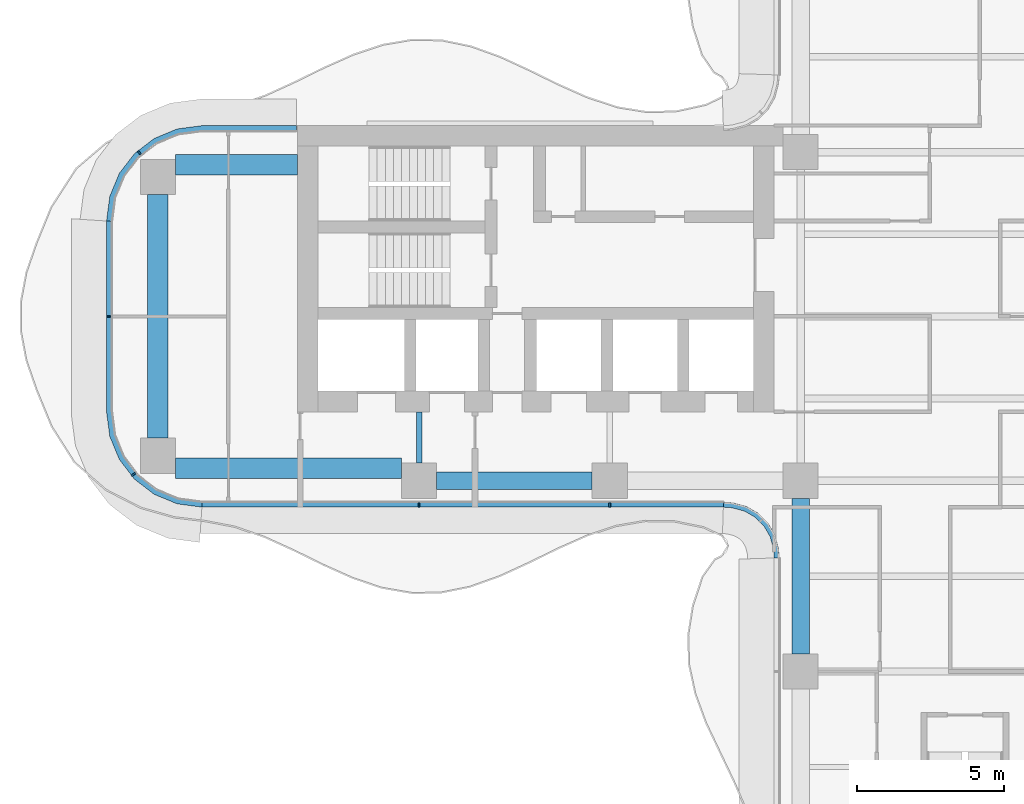
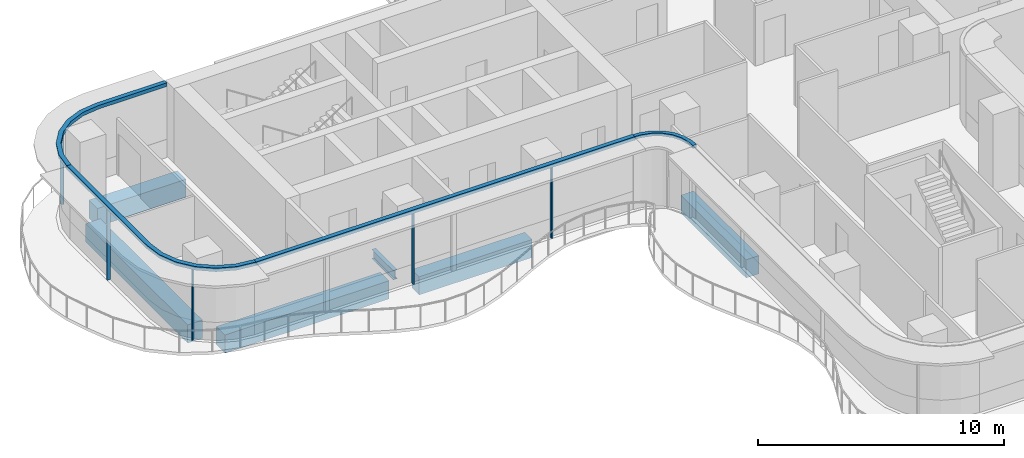
# One storey, part 3 of 18: 9 members, 6 beams, 4 elements without a shape of their own.
"""IFC4 building model written with IfcOpenShell, lengths in metres."""

from ifc_helpers import new_model, si_unit, direction, frame, origin, origin_2d, place, context, subcontext, project, spatial, polyline, rectangle, i_section, outline, extrude, source, transform, mapped, material, layer, layer_set, material_profile, profile_set, type_object, element, aggregate, save


model = new_model("IFC4")

# Units and contexts
model_context = context("Model", 3, precision=1e-05, world=origin(), true_north=direction((0.0, 1.0)))
body_context = subcontext(model_context, "Body", "Model", "MODEL_VIEW")
ifc_project = project(units=[si_unit("LENGTHUNIT", "METRE"), si_unit("AREAUNIT", "SQUARE_METRE"), si_unit("VOLUMEUNIT", "CUBIC_METRE"), si_unit("PLANEANGLEUNIT", "RADIAN"), si_unit("MASSUNIT", "GRAM", prefix="KILO")], contexts=[model_context])

# Site, building, storey
site_placement = place(None, origin())
site = spatial("IfcSite", under=ifc_project, at=site_placement, CompositionType="ELEMENT")
building_placement = place(site_placement, origin())
building = spatial("IfcBuilding", under=site, at=building_placement, Name="Trellis Farm Tower", CompositionType="ELEMENT")
storey_placement = place(building_placement, frame((0.0, 0.0, 169.800048828125)))
storey = spatial("IfcBuildingStorey", under=building, at=storey_placement, Name="L36", CompositionType="ELEMENT", Elevation=169.800048828125)

# Beams
ifc_material_1 = material(Name="Concrete C60/75", Category="concrete")
ifc_material_profile_1 = material_profile(ifc_material_1, rectangle(XDim=0.60009765625, YDim=0.89990234375, at=origin_2d()), Name="RC spandrel beam 600x900 C60/75")
ifc_profile_set_1 = profile_set([ifc_material_profile_1], Name="Concrete C60/75")
beam_type_1 = type_object("IfcBeamType", Name="RC spandrel beam 600x900 C60/75", PredefinedType="SPANDREL", material=ifc_profile_set_1)
shared_shape_1 = source(origin(), body_context, "Body", "SweptSolid", [
    extrude(rectangle(XDim=0.60009765625, YDim=0.89990234375, at=origin_2d()), origin(), (0.0, 0.0, 1.0), 5.300048828125),
])
for number, where, z_axis, x_axis, name in (
    (1, (-18.0, -5.60009765625, -0.650146484375), (1.0, 0.0, 0.0), (0.0, 1.0, 0.0), "Girder"),
    (2, (-5.60009765625, -11.5, -0.650146484375), (0.0, 1.0, 0.0), (-1.0, 0.0, 0.0), "Girder"),
):
    element("IfcBeam", number, at=place(storey_placement, frame(where, z_axis=z_axis, x_axis=x_axis)), inside=storey, type_object=beam_type_1, Name=name, PredefinedType="SPANDREL", context=body_context, shape_type="MappedRepresentation", body=[
        mapped(shared_shape_1, transform((0.0, 0.0, 0.0))),
    ])
ifc_material_profile_2 = material_profile(ifc_material_1, rectangle(XDim=0.699951171875, YDim=0.89990234375, at=origin_2d()), Name="RC spandrel beam 700x900 C60/75")
ifc_profile_set_2 = profile_set([ifc_material_profile_2], Name="Concrete C60/75")
beam_type_2 = type_object("IfcBeamType", Name="RC spandrel beam 700x900 C60/75", PredefinedType="SPANDREL", material=ifc_profile_set_2)
shared_shape_2 = source(origin(), body_context, "Body", "SweptSolid", [
    extrude(rectangle(XDim=0.699951171875, YDim=0.89990234375, at=origin_2d()), origin(), (0.0, 0.0, 1.0), 8.2998046875),
])
beam_1_placement = place(storey_placement, frame((-27.5, -4.14990234375, -0.650146484375), z_axis=(0.0, 1.0, 0.0), x_axis=(-1.0, 0.0, 0.0)))
element("IfcBeam", 3, at=beam_1_placement, inside=storey, type_object=beam_type_2, Name="Girder", PredefinedType="SPANDREL", context=body_context, shape_type="MappedRepresentation", body=[
    mapped(shared_shape_2, transform((0.0, 0.0, 0.0))),
])
ifc_material_2 = material(Name="Steel S355", Category="steel")
ifc_material_profile_3 = material_profile(ifc_material_2, i_section(OverallWidth=0.1904296875, OverallDepth=0.45703125, WebThickness=0.009033203125, FlangeThickness=0.014404296875, FilletRadius=0.01025390625, at=origin_2d()), Name="UB 457x191x74")
ifc_profile_set_3 = profile_set([ifc_material_profile_3], Name="Steel S355")
beam_type_3 = type_object("IfcBeamType", Name="UB 457x191x74", PredefinedType="BEAM", material=ifc_profile_set_3)
shared_shape_3 = source(origin(), body_context, "Body", "SweptSolid", [
    extrude(i_section(OverallWidth=0.1904296875, OverallDepth=0.45703125, WebThickness=0.009033203125, FlangeThickness=0.014404296875, FilletRadius=0.01025390625, at=origin_2d()), origin(), (0.0, 0.0, 1.0), 1.75),
])
beam_2_placement = place(storey_placement, frame((-18.60009765625, -5.0, -0.428466796875), z_axis=(0.0, 1.0, 0.0), x_axis=(-1.0, 0.0, 0.0)))
element("IfcBeam", 4, at=beam_2_placement, inside=storey, type_object=beam_type_3, Name="Girder", PredefinedType="BEAM", context=body_context, shape_type="MappedRepresentation", body=[
    mapped(shared_shape_3, transform((0.0, 0.0, 0.0))),
])
shared_shape_4 = source(origin(), body_context, "Body", "SweptSolid", [
    extrude(rectangle(XDim=0.699951171875, YDim=0.89990234375, at=origin_2d()), origin(), (0.0, 0.0, 1.0), 7.699951171875),
])
beam_3_placement = place(storey_placement, frame((-26.89990234375, -5.175048828125, -0.650146484375), z_axis=(1.0, 0.0, 0.0), x_axis=(0.0, 1.0, 0.0)))
element("IfcBeam", 5, at=beam_3_placement, inside=storey, type_object=beam_type_2, Name="Girder", PredefinedType="SPANDREL", context=body_context, shape_type="MappedRepresentation", body=[
    mapped(shared_shape_4, transform((0.0, 0.0, 0.0))),
])
shared_shape_5 = source(origin(), body_context, "Body", "SweptSolid", [
    extrude(rectangle(XDim=0.699951171875, YDim=0.89990234375, at=origin_2d()), origin(), (0.0, 0.0, 1.0), 4.14990234375),
])
beam_4_placement = place(storey_placement, frame((-26.89990234375, 5.175048828125, -0.650146484375), z_axis=(1.0, 0.0, 0.0), x_axis=(0.0, 1.0, 0.0)))
element("IfcBeam", 6, at=beam_4_placement, inside=storey, type_object=beam_type_2, Name="Girder", PredefinedType="SPANDREL", context=body_context, shape_type="MappedRepresentation", body=[
    mapped(shared_shape_5, transform((0.0, 0.0, 0.0))),
])

# Curtain wall, member
ifc_material_3 = material(Name="Aluminium and glass curtain wall", Category="aluminium")
ifc_layer_1 = layer(ifc_material_3, 0.166015625)
ifc_layer_set_1 = layer_set([ifc_layer_1], Name="WINTER GARDEN CURTAIN WALL CW3")
curtain_wall_type_1 = type_object("IfcCurtainWallType", Name="WINTER GARDEN CURTAIN WALL CW3", PredefinedType="NOTDEFINED", material=ifc_layer_set_1)
placement_1 = place(storey_placement, origin())
curtain_wall_1 = element("IfcCurtainWall", 7, at=placement_1, inside=storey, type_object=curtain_wall_type_1, Name="CW3 001", PredefinedType="NOTDEFINED")
ifc_material_4 = material(Name="Aluminium extrusion 6063-T6", Category="aluminium")
ifc_layer_2 = layer(ifc_material_4, 0.169921875)
ifc_layer_set_2 = layer_set([ifc_layer_2], Name="Aluminium extrusion 6063-T6")
member_type_1 = type_object("IfcMemberType", Name="CW3 TRANSOM 170x150", PredefinedType="USERDEFINED", material=ifc_layer_set_2)
shared_shape_6 = source(origin(), body_context, "Body", "SweptSolid", [
    extrude(outline(polyline([(-8.2314453125, -6.5), (-8.01953125, -6.513916015625), (-7.91552734375, -6.527587890625), (-7.508544921875, -6.63671875), (-7.144287109375, -6.846923828125), (-6.846923828125, -7.144287109375), (-6.63671875, -7.508544921875), (-6.527587890625, -7.91552734375), (-6.513916015625, -8.01953125), (-6.5, -8.2314453125), (-6.330078125, -8.225830078125), (-6.3447265625, -8.0029296875), (-6.360595703125, -7.88232421875), (-6.478271484375, -7.44287109375), (-6.7109375, -7.0400390625), (-7.0400390625, -6.7109375), (-7.44287109375, -6.478271484375), (-7.88232421875, -6.360595703125), (-8.0029296875, -6.3447265625), (-8.225830078125, -6.330078125), (-8.2314453125, -6.5)])), origin(), (0.0, 0.0, 1.0), 0.14990234375),
])
member_1_placement = place(storey_placement, frame((0.0, 0.0, 3.550048828125)))
member_1 = element("IfcMember", 8, at=member_1_placement, type_object=member_type_1, Name="TR3 001", ObjectType="TRANSOM", PredefinedType="USERDEFINED", context=body_context, shape_type="MappedRepresentation", body=[
    mapped(shared_shape_6, transform((0.0, 0.0, 0.0))),
])
aggregate(curtain_wall_1, [member_1])

# Curtain wall, members
ifc_layer_3 = layer(ifc_material_3, 0.18994140625)
ifc_layer_set_3 = layer_set([ifc_layer_3], Name="RIBBON CURTAIN WALL CW1")
curtain_wall_type_2 = type_object("IfcCurtainWallType", Name="RIBBON CURTAIN WALL CW1", PredefinedType="NOTDEFINED", material=ifc_layer_set_3)
curtain_wall_2 = element("IfcCurtainWall", 9, at=placement_1, inside=storey, type_object=curtain_wall_type_2, Name="CW1 001", PredefinedType="NOTDEFINED")
ifc_material_profile_4 = material_profile(ifc_material_4, rectangle(XDim=0.06005859375, YDim=0.14990234375, at=origin_2d()), Name="MULLION 60x150")
ifc_profile_set_4 = profile_set([ifc_material_profile_4], Name="Aluminium extrusion 6063-T6")
member_type_2 = type_object("IfcMemberType", Name="CW1 MULLION 60x150", PredefinedType="MULLION", material=ifc_profile_set_4)
shared_shape_7 = source(origin(), body_context, "Body", "SweptSolid", [
    extrude(rectangle(XDim=0.06005859375, YDim=0.14990234375, at=origin_2d()), origin(), (0.0, 0.0, 1.0), 3.52001953125),
])
member_2_placement = place(storey_placement, frame((-18.60009765625, -6.425048828125, 0.0), z_axis=(0.0, 0.0, 1.0), x_axis=(1.0, 0.0, 0.0)))
member_2 = element("IfcMember", 10, at=member_2_placement, type_object=member_type_2, Name="MU1 001-01", PredefinedType="MULLION", context=body_context, shape_type="MappedRepresentation", body=[
    mapped(shared_shape_7, transform((0.0, 0.0, 0.0))),
])
member_3_placement = place(storey_placement, frame((-12.10009765625, -6.425048828125, 0.0), z_axis=(0.0, 0.0, 1.0), x_axis=(1.0, 0.0, 0.0)))
member_3 = element("IfcMember", 11, at=member_3_placement, type_object=member_type_2, Name="MU1 001-02", PredefinedType="MULLION", context=body_context, shape_type="MappedRepresentation", body=[
    mapped(shared_shape_7, transform((0.0, 0.0, 0.0))),
])

# Curtain wall, member
curtain_wall_3 = element("IfcCurtainWall", 12, at=placement_1, inside=storey, type_object=curtain_wall_type_2, Name="CW1 012", PredefinedType="NOTDEFINED")
member_4_placement = place(storey_placement, frame((-28.135498046875, 5.578369140625, 0.0), z_axis=(0.0, 0.0, 1.0), x_axis=(-0.793353340291, -0.608761429009, 0.0)))
member_4 = element("IfcMember", 13, at=member_4_placement, type_object=member_type_2, Name="MU1 012-01", PredefinedType="MULLION", context=body_context, shape_type="MappedRepresentation", body=[
    mapped(shared_shape_7, transform((0.0, 0.0, 0.0))),
])

# Curtain wall, members
curtain_wall_4 = element("IfcCurtainWall", 14, at=placement_1, inside=storey, type_object=curtain_wall_type_2, Name="CW1 013", PredefinedType="NOTDEFINED")
member_5_placement = place(storey_placement, frame((-29.175048828125, 0.0, 0.0), z_axis=(0.0, 0.0, 1.0), x_axis=(0.0, -1.0, 0.0)))
member_5 = element("IfcMember", 15, at=member_5_placement, type_object=member_type_2, Name="MU1 013-01", PredefinedType="MULLION", context=body_context, shape_type="MappedRepresentation", body=[
    mapped(shared_shape_7, transform((0.0, 0.0, 0.0))),
])
member_6_placement = place(storey_placement, frame((-28.328369140625, -5.385498046875, 0.0), z_axis=(0.0, 0.0, 1.0), x_axis=(0.608761429009, -0.793353340291, 0.0)))
member_6 = element("IfcMember", 16, at=member_6_placement, type_object=member_type_2, Name="MU1 013-02", PredefinedType="MULLION", context=body_context, shape_type="MappedRepresentation", body=[
    mapped(shared_shape_7, transform((0.0, 0.0, 0.0))),
])

# Member
ifc_layer_4 = layer(ifc_material_4, 0.199951171875)
ifc_layer_set_4 = layer_set([ifc_layer_4], Name="Aluminium extrusion 6063-T6")
member_type_3 = type_object("IfcMemberType", Name="CW1 TRANSOM 200x180", PredefinedType="USERDEFINED", material=ifc_layer_set_4)
shared_shape_8 = source(origin(), body_context, "Body", "SweptSolid", [
    extrude(outline(polyline([(-26.0, -6.5), (-8.2314453125, -6.5), (-8.224853515625, -6.300048828125), (-25.98681640625, -6.300048828125), (-26.0, -6.5)])), origin(), (0.0, 0.0, 1.0), 0.179931640625),
])
placement_2 = place(storey_placement, frame((0.0, 0.0, 3.52001953125)))
member_7 = element("IfcMember", 17, at=placement_2, type_object=member_type_3, Name="TR1 001", ObjectType="TRANSOM", PredefinedType="USERDEFINED", context=body_context, shape_type="MappedRepresentation", body=[
    mapped(shared_shape_8, transform((0.0, 0.0, 0.0))),
])

aggregate(curtain_wall_2, [member_2, member_3, member_7])

shared_shape_9 = source(origin(), body_context, "Body", "SweptSolid", [
    extrude(outline(polyline([(-22.780029296875, 6.5), (-26.0, 6.5), (-26.841064453125, 6.38916015625), (-27.625, 6.064697265625), (-28.298095703125, 5.548095703125), (-28.814697265625, 4.875), (-29.13916015625, 4.091064453125), (-29.25, 3.25), (-29.050048828125, 3.23681640625), (-28.9443359375, 4.0390625), (-28.639892578125, 4.774169921875), (-28.155517578125, 5.405517578125), (-27.524169921875, 5.889892578125), (-26.7890625, 6.1943359375), (-25.98681640625, 6.300048828125), (-22.780029296875, 6.300048828125), (-22.780029296875, 6.5)])), origin(), (0.0, 0.0, 1.0), 0.179931640625),
])
member_8 = element("IfcMember", 18, at=placement_2, type_object=member_type_3, Name="TR1 012", ObjectType="TRANSOM", PredefinedType="USERDEFINED", context=body_context, shape_type="MappedRepresentation", body=[
    mapped(shared_shape_9, transform((0.0, 0.0, 0.0))),
])

aggregate(curtain_wall_3, [member_4, member_8])

shared_shape_10 = source(origin(), body_context, "Body", "SweptSolid", [
    extrude(outline(polyline([(-29.25, 3.25), (-29.25, -3.25), (-29.13916015625, -4.091064453125), (-28.814697265625, -4.875), (-28.298095703125, -5.548095703125), (-27.625, -6.064697265625), (-26.841064453125, -6.38916015625), (-26.0, -6.5), (-25.98681640625, -6.300048828125), (-26.7890625, -6.1943359375), (-27.524169921875, -5.889892578125), (-28.155517578125, -5.405517578125), (-28.639892578125, -4.774169921875), (-28.9443359375, -4.0390625), (-29.050048828125, -3.23681640625), (-29.050048828125, 3.23681640625), (-29.25, 3.25)])), origin(), (0.0, 0.0, 1.0), 0.179931640625),
])
member_9 = element("IfcMember", 19, at=placement_2, type_object=member_type_3, Name="TR1 013", ObjectType="TRANSOM", PredefinedType="USERDEFINED", context=body_context, shape_type="MappedRepresentation", body=[
    mapped(shared_shape_10, transform((0.0, 0.0, 0.0))),
])

aggregate(curtain_wall_4, [member_5, member_6, member_9])

save(model, "model.ifc")
